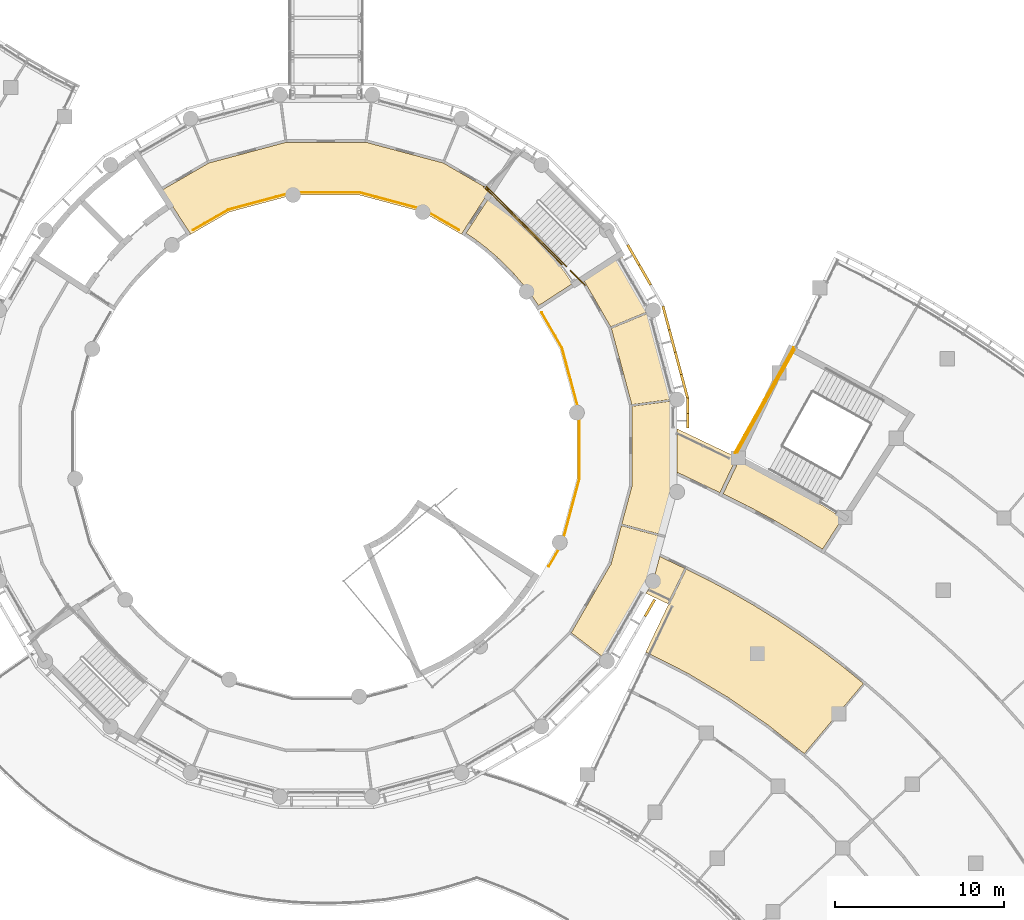
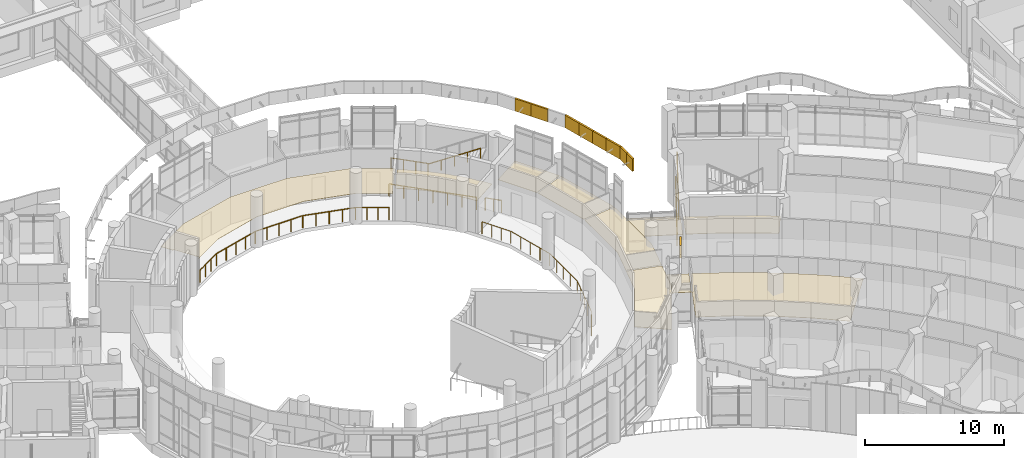
# One storey, part 118 of 136: 19 coverings, 8 railings.
"""IFC4 building model written with IfcOpenShell, lengths in metres."""

from ifc_helpers import new_model, si_unit, direction, frame, origin, origin_2d, place, context, subcontext, project, spatial, polyline, circle, outline, extrude, material, layer, layer_set, type_object, element, save


model = new_model("IFC4")

# Units and contexts
model_context = context("Model", 3, precision=1e-05, world=origin(), true_north=direction((0.0, 1.0)))
body_context = subcontext(model_context, "Body", "Model", "MODEL_VIEW")
ifc_project = project(units=[si_unit("LENGTHUNIT", "METRE"), si_unit("AREAUNIT", "SQUARE_METRE"), si_unit("VOLUMEUNIT", "CUBIC_METRE"), si_unit("PLANEANGLEUNIT", "RADIAN"), si_unit("MASSUNIT", "GRAM", prefix="KILO")], contexts=[model_context])

# Site, building, storey
site_placement = place(None, origin())
site = spatial("IfcSite", under=ifc_project, at=site_placement, CompositionType="ELEMENT")
building_placement = place(site_placement, origin())
building = spatial("IfcBuilding", under=site, at=building_placement, Name="Bougainvillea Quay General Hospital", CompositionType="ELEMENT")
storey_placement = place(building_placement, frame((0.0, 0.0, 5.39990234375)))
storey = spatial("IfcBuildingStorey", under=building, at=storey_placement, Name="L01", CompositionType="ELEMENT", Elevation=5.39990234375)

# Coverings
ifc_material_1 = material(Name="Powder-coated aluminium fascia, white", Category="aluminium")
ifc_layer_1 = layer(ifc_material_1, 0.14990234375)
ifc_layer_set_1 = layer_set([ifc_layer_1], Name="Powder-coated aluminium fascia, white")
covering_type_1 = type_object("IfcCoveringType", Name="Aluminium fascia band white 150x1100", PredefinedType="CLADDING", material=ifc_layer_set_1)
covering_1_placement = place(storey_placement, frame((128.05615234375, 63.919921875, 6.650146484375), z_axis=(0.0, 0.0, 1.0), x_axis=(0.499894466757, 0.866086324858, 0.0)))
element("IfcCovering", 1, at=covering_1_placement, inside=storey, type_object=covering_type_1, Name="Fascia band white e0 42", PredefinedType="CLADDING", context=body_context, shape_type="SweptSolid", body=[
    extrude(outline(polyline([(0.0, 0.0), (1.1467264105144213, 0.0), (1.1467399248169607, -0.14995740383758843), (1.351430253937469e-05, -0.1499574038375884), (0.0, 0.0)])), origin(), (0.0, 0.0, 1.0), 1.10009765625),
])
covering_2_placement = place(storey_placement, frame((130.570068359375, 75.06005859375, 6.650146484375), z_axis=(0.0, 0.0, 1.0), x_axis=(0.0, 1.0, 0.0)))
element("IfcCovering", 2, at=covering_2_placement, inside=storey, type_object=covering_type_1, Name="Fascia band white e1 1", PredefinedType="CLADDING", context=body_context, shape_type="SweptSolid", body=[
    extrude(outline(polyline([(0.0, 0.0), (0.84033203125, 0.0), (0.84033203125, -0.14990234375), (0.0, -0.14990234375), (0.0, 0.0)])), origin(), (0.0, 0.0, 1.0), 1.10009765625),
])
covering_3_placement = place(storey_placement, frame((130.570068359375, 75.900390625, 6.650146484375), z_axis=(0.0, 0.0, 1.0), x_axis=(0.0, 1.0, 0.0)))
element("IfcCovering", 3, at=covering_3_placement, inside=storey, type_object=covering_type_1, Name="Fascia band white e1 2", PredefinedType="CLADDING", context=body_context, shape_type="SweptSolid", body=[
    extrude(outline(polyline([(0.0, 0.0), (0.9130859375, 0.0), (0.932861328125, -0.14990234375), (0.0, -0.14990234375), (0.0, 0.0)])), origin(), (0.0, 0.0, 1.0), 1.10009765625),
])
covering_4_placement = place(storey_placement, frame((130.570068359375, 76.8134765625, 6.650146484375), z_axis=(0.0, 0.0, 1.0), x_axis=(-0.258905250026, 0.965902723626, 0.0)))
element("IfcCovering", 4, at=covering_4_placement, inside=storey, type_object=covering_type_1, Name="Fascia band white e1 3", PredefinedType="CLADDING", context=body_context, shape_type="SweptSolid", body=[
    extrude(outline(polyline([(0.0, 0.0), (1.4427484812010494, -1.1102230246251565e-16), (1.4427601315406933, -0.14988922115835282), (-0.019709400122614035, -0.1499110345602391), (0.0, 0.0)])), origin(), (0.0, 0.0, 1.0), 1.10009765625),
])
covering_5_placement = place(storey_placement, frame((130.196533203125, 78.20703125, 6.650146484375), z_axis=(0.0, 0.0, 1.0), x_axis=(-0.258848876884, 0.965917832393, 0.0)))
element("IfcCovering", 5, at=covering_5_placement, inside=storey, type_object=covering_type_1, Name="Fascia band white e1 4", PredefinedType="CLADDING", context=body_context, shape_type="SweptSolid", body=[
    extrude(outline(polyline([(0.0, 0.0), (1.3704379651734342, -5.551115123125783e-17), (1.3704583634542102, -0.1498892202231306), (2.039828077596978e-05, -0.14988922022313056), (0.0, 0.0)])), origin(), (0.0, 0.0, 1.0), 1.10009765625),
])
covering_6_placement = place(storey_placement, frame((129.841796875, 79.53076171875, 6.650146484375), z_axis=(0.0, 0.0, 1.0), x_axis=(-0.258804342537, 0.96592976571, 0.0)))
element("IfcCovering", 6, at=covering_6_placement, inside=storey, type_object=covering_type_1, Name="Fascia band white e1 5", PredefinedType="CLADDING", context=body_context, shape_type="SweptSolid", body=[
    extrude(outline(polyline([(0.0, 0.0), (1.3706737864135623, -5.551115123125783e-17), (1.3707010954037027, -0.14988921912334807), (2.730899014045246e-05, -0.14988921912334804), (0.0, 0.0)])), origin(), (0.0, 0.0, 1.0), 1.10009765625),
])
covering_7_placement = place(storey_placement, frame((129.487060546875, 80.854736328125, 6.650146484375), z_axis=(0.0, 0.0, 1.0), x_axis=(-0.258905250026, 0.965902723626, 0.0)))
element("IfcCovering", 7, at=covering_7_placement, inside=storey, type_object=covering_type_1, Name="Fascia band white e1 6", PredefinedType="CLADDING", context=body_context, shape_type="SweptSolid", body=[
    extrude(outline(polyline([(0.0, 0.0), (1.4427484812010494, -1.1102230246251565e-16), (1.462481182002951, -0.14986740775646643), (1.1650339643856644e-05, -0.14988922115835274), (0.0, 0.0)])), origin(), (0.0, 0.0, 1.0), 1.10009765625),
])
for number, where, z_axis, x_axis, name in (
    (8, (128.39208984375, 83.498046875, 6.650146484375), (0.0, 0.0, 1.0), (-0.499989712218, 0.866031343357, 0.0), "Fascia band white e1 8"),
    (9, (127.706787109375, 84.68505859375, 6.650146484375), (0.0, 0.0, 1.0), (-0.499989712218, 0.866031343357, 0.0), "Fascia band white e1 9"),
):
    element("IfcCovering", number, at=place(storey_placement, frame(where, z_axis=z_axis, x_axis=x_axis)), inside=storey, type_object=covering_type_1, Name=name, PredefinedType="CLADDING", context=body_context, shape_type="SweptSolid", body=[
        extrude(outline(polyline([(0.0, 0.0), (1.3706336703115394, 0.0), (1.3706036643327093, -0.14995740144450087), (-3.0005978829975022e-05, -0.14995740144450084), (0.0, 0.0)])), origin(), (0.0, 0.0, 1.0), 1.10009765625),
    ])

# Railings
ifc_material_2 = material(Name="Stainless steel guard, brushed grade 316", Category="steel")
railing_type_1 = type_object("IfcRailingType", Name="Stainless steel guard 1100", PredefinedType="GUARDRAIL", material=ifc_material_2)
railing_1_placement = place(storey_placement, frame((101.31103515625, 86.7900390625, 0.0)))
element("IfcRailing", 10, at=railing_1_placement, inside=storey, type_object=railing_type_1, Name="Guard 0-01", PredefinedType="GUARDRAIL", context=body_context, shape_type="SweptSolid", body=[
    extrude(circle(Radius=0.02392578125, at=origin_2d()), frame((0.0, 0.0, 1.076171875), z_axis=(0.865894266705, 0.500227067327, 0.0), x_axis=(-0.500227067327, 0.865894266705, 0.0)), (0.0, 0.0, 1.0), 2.4150390625),
    extrude(circle(Radius=0.02392578125, at=origin_2d()), frame((2.091064453125, 1.2080078125, 1.076171875), z_axis=(0.965900094608, 0.258915057956, 0.0), x_axis=(-0.258915057956, 0.965900094608, 0.0)), (0.0, 0.0, 1.0), 3.95458984375),
    extrude(circle(Radius=0.02392578125, at=origin_2d()), frame((5.910888671875, 2.23193359375, 1.076171875), z_axis=(1.0, 0.0, 0.0), x_axis=(0.0, 1.0, 0.0)), (0.0, 0.0, 1.0), 3.9560546875),
    extrude(circle(Radius=0.02392578125, at=origin_2d()), frame((9.866943359375, 2.23193359375, 1.076171875), z_axis=(0.965904232743, -0.258899619871, 0.0), x_axis=(0.258899619871, 0.965904232743, 0.0)), (0.0, 0.0, 1.0), 3.954833984375),
    extrude(circle(Radius=0.02392578125, at=origin_2d()), frame((13.68701171875, 1.2080078125, 1.076171875), z_axis=(0.865894266705, -0.500227067327, 0.0), x_axis=(0.500227067327, 0.865894266705, 0.0)), (0.0, 0.0, 1.0), 2.4150390625),
    extrude(circle(Radius=0.02099609375, at=origin_2d()), origin(), (0.0, 0.0, 1.0), 1.052001953125),
    extrude(circle(Radius=0.02099609375, at=origin_2d()), frame((0.697021484375, 0.402587890625, 0.0)), (0.0, 0.0, 1.0), 1.052001953125),
    extrude(circle(Radius=0.02099609375, at=origin_2d()), frame((1.39404296875, 0.805419921875, 0.0)), (0.0, 0.0, 1.0), 1.052001953125),
    extrude(circle(Radius=0.02099609375, at=origin_2d()), frame((2.091064453125, 1.2080078125, 0.0)), (0.0, 0.0, 1.0), 1.052001953125),
    extrude(circle(Radius=0.02099609375, at=origin_2d()), frame((3.0458984375, 1.4638671875, 0.0)), (0.0, 0.0, 1.0), 1.052001953125),
    extrude(circle(Radius=0.02099609375, at=origin_2d()), frame((4.0009765625, 1.719970703125, 0.0)), (0.0, 0.0, 1.0), 1.052001953125),
    extrude(circle(Radius=0.02099609375, at=origin_2d()), frame((4.9560546875, 1.97607421875, 0.0)), (0.0, 0.0, 1.0), 1.052001953125),
    extrude(circle(Radius=0.02099609375, at=origin_2d()), frame((5.910888671875, 2.23193359375, 0.0)), (0.0, 0.0, 1.0), 1.052001953125),
    extrude(circle(Radius=0.02099609375, at=origin_2d()), frame((6.89990234375, 2.23193359375, 0.0)), (0.0, 0.0, 1.0), 1.052001953125),
    extrude(circle(Radius=0.02099609375, at=origin_2d()), frame((7.888916015625, 2.23193359375, 0.0)), (0.0, 0.0, 1.0), 1.052001953125),
    extrude(circle(Radius=0.02099609375, at=origin_2d()), frame((8.8779296875, 2.23193359375, 0.0)), (0.0, 0.0, 1.0), 1.052001953125),
    extrude(circle(Radius=0.02099609375, at=origin_2d()), frame((9.866943359375, 2.23193359375, 0.0)), (0.0, 0.0, 1.0), 1.052001953125),
    extrude(circle(Radius=0.02099609375, at=origin_2d()), frame((10.822021484375, 1.97607421875, 0.0)), (0.0, 0.0, 1.0), 1.052001953125),
    extrude(circle(Radius=0.02099609375, at=origin_2d()), frame((11.77685546875, 1.719970703125, 0.0)), (0.0, 0.0, 1.0), 1.052001953125),
    extrude(circle(Radius=0.02099609375, at=origin_2d()), frame((12.73193359375, 1.4638671875, 0.0)), (0.0, 0.0, 1.0), 1.052001953125),
    extrude(circle(Radius=0.02099609375, at=origin_2d()), frame((13.68701171875, 1.2080078125, 0.0)), (0.0, 0.0, 1.0), 1.052001953125),
    extrude(circle(Radius=0.02099609375, at=origin_2d()), frame((14.384033203125, 0.805419921875, 0.0)), (0.0, 0.0, 1.0), 1.052001953125),
    extrude(circle(Radius=0.02099609375, at=origin_2d()), frame((15.0810546875, 0.402587890625, 0.0)), (0.0, 0.0, 1.0), 1.052001953125),
    extrude(circle(Radius=0.02099609375, at=origin_2d()), frame((15.778076171875, 0.0, 0.0)), (0.0, 0.0, 1.0), 1.052001953125),
])
railing_2_placement = place(storey_placement, frame((121.989990234375, 81.888916015625, 0.0)))
element("IfcRailing", 11, at=railing_2_placement, inside=storey, type_object=railing_type_1, Name="Guard 0-03", PredefinedType="GUARDRAIL", context=body_context, shape_type="SweptSolid", body=[
    extrude(circle(Radius=0.02392578125, at=origin_2d()), frame((0.0, 0.0, 1.076171875), z_axis=(0.500270859977, -0.865868966217, 0.0), x_axis=(0.865868966217, 0.500270859977, 0.0)), (0.0, 0.0, 1.0), 2.414794921875),
    extrude(circle(Radius=0.02392578125, at=origin_2d()), frame((1.2080078125, -2.0908203125, 1.076171875), z_axis=(0.258899619871, -0.965904232743, 0.0), x_axis=(0.965904232743, 0.258899619871, 0.0)), (0.0, 0.0, 1.0), 3.954833984375),
    extrude(circle(Radius=0.02392578125, at=origin_2d()), frame((2.23193359375, -5.910888671875, 1.076171875), z_axis=(0.0, -1.0, 0.0), x_axis=(1.0, 0.0, 0.0)), (0.0, 0.0, 1.0), 3.9560546875),
    extrude(circle(Radius=0.02392578125, at=origin_2d()), frame((2.23193359375, -9.866943359375, 1.076171875), z_axis=(-0.258899619871, -0.965904232743, 0.0), x_axis=(0.965904232743, -0.258899619871, 0.0)), (0.0, 0.0, 1.0), 3.954833984375),
    extrude(circle(Radius=0.02392578125, at=origin_2d()), frame((1.2080078125, -13.68701171875, 1.076171875), z_axis=(-0.500316584844, -0.865842546269, 0.0), x_axis=(0.865842546269, -0.500316584844, 0.0)), (0.0, 0.0, 1.0), 1.56494140625),
    extrude(circle(Radius=0.02099609375, at=origin_2d()), origin(), (0.0, 0.0, 1.0), 1.052001953125),
    extrude(circle(Radius=0.02099609375, at=origin_2d()), frame((0.402587890625, -0.697021484375, 0.0)), (0.0, 0.0, 1.0), 1.052001953125),
    extrude(circle(Radius=0.02099609375, at=origin_2d()), frame((0.805419921875, -1.393798828125, 0.0)), (0.0, 0.0, 1.0), 1.052001953125),
    extrude(circle(Radius=0.02099609375, at=origin_2d()), frame((1.2080078125, -2.0908203125, 0.0)), (0.0, 0.0, 1.0), 1.052001953125),
    extrude(circle(Radius=0.02099609375, at=origin_2d()), frame((1.4638671875, -3.0458984375, 0.0)), (0.0, 0.0, 1.0), 1.052001953125),
    extrude(circle(Radius=0.02099609375, at=origin_2d()), frame((1.719970703125, -4.0009765625, 0.0)), (0.0, 0.0, 1.0), 1.052001953125),
    extrude(circle(Radius=0.02099609375, at=origin_2d()), frame((1.97607421875, -4.955810546875, 0.0)), (0.0, 0.0, 1.0), 1.052001953125),
    extrude(circle(Radius=0.02099609375, at=origin_2d()), frame((2.23193359375, -5.910888671875, 0.0)), (0.0, 0.0, 1.0), 1.052001953125),
    extrude(circle(Radius=0.02099609375, at=origin_2d()), frame((2.23193359375, -6.89990234375, 0.0)), (0.0, 0.0, 1.0), 1.052001953125),
    extrude(circle(Radius=0.02099609375, at=origin_2d()), frame((2.23193359375, -7.888916015625, 0.0)), (0.0, 0.0, 1.0), 1.052001953125),
    extrude(circle(Radius=0.02099609375, at=origin_2d()), frame((2.23193359375, -8.8779296875, 0.0)), (0.0, 0.0, 1.0), 1.052001953125),
    extrude(circle(Radius=0.02099609375, at=origin_2d()), frame((2.23193359375, -9.866943359375, 0.0)), (0.0, 0.0, 1.0), 1.052001953125),
    extrude(circle(Radius=0.02099609375, at=origin_2d()), frame((1.97607421875, -10.822021484375, 0.0)), (0.0, 0.0, 1.0), 1.052001953125),
    extrude(circle(Radius=0.02099609375, at=origin_2d()), frame((1.719970703125, -11.77685546875, 0.0)), (0.0, 0.0, 1.0), 1.052001953125),
    extrude(circle(Radius=0.02099609375, at=origin_2d()), frame((1.4638671875, -12.73193359375, 0.0)), (0.0, 0.0, 1.0), 1.052001953125),
    extrude(circle(Radius=0.02099609375, at=origin_2d()), frame((1.2080078125, -13.68701171875, 0.0)), (0.0, 0.0, 1.0), 1.052001953125),
    extrude(circle(Radius=0.02099609375, at=origin_2d()), frame((0.81640625, -14.364501953125, 0.0)), (0.0, 0.0, 1.0), 1.052001953125),
    extrude(circle(Radius=0.02099609375, at=origin_2d()), frame((0.425048828125, -15.0419921875, 0.0)), (0.0, 0.0, 1.0), 1.052001953125),
])
ifc_material_3 = material(Name="Stainless steel 304 balustrade", Category="steel")
railing_type_2 = type_object("IfcRailingType", Name="Stair guard 1100", PredefinedType="GUARDRAIL", material=ifc_material_3)
railing_3_placement = place(storey_placement, frame((136.9755859375, 79.679931640625, 2.25)))
element("IfcRailing", 12, at=railing_3_placement, inside=storey, type_object=railing_type_2, Name="L01 ST-E1 stair guard 3", PredefinedType="GUARDRAIL", context=body_context, shape_type="SweptSolid", body=[
    extrude(circle(Radius=0.02392578125, at=origin_2d()), frame((0.0, 0.0, 1.076171875), z_axis=(-0.487209347001, -0.873285206674, 0.0), x_axis=(0.873285206674, -0.487209347001, 0.0)), (0.0, 0.0, 1.0), 6.957275390625),
    extrude(circle(Radius=0.02099609375, at=origin_2d()), origin(), (0.0, 0.0, 1.0), 1.052001953125),
    extrude(circle(Radius=0.02099609375, at=origin_2d()), frame((-0.56494140625, -1.0126953125, 0.0)), (0.0, 0.0, 1.0), 1.052001953125),
    extrude(circle(Radius=0.02099609375, at=origin_2d()), frame((-1.1298828125, -2.025146484375, 0.0)), (0.0, 0.0, 1.0), 1.052001953125),
    extrude(circle(Radius=0.02099609375, at=origin_2d()), frame((-1.69482421875, -3.037841796875, 0.0)), (0.0, 0.0, 1.0), 1.052001953125),
    extrude(circle(Radius=0.02099609375, at=origin_2d()), frame((-2.259765625, -4.050537109375, 0.0)), (0.0, 0.0, 1.0), 1.052001953125),
    extrude(circle(Radius=0.02099609375, at=origin_2d()), frame((-2.82470703125, -5.06298828125, 0.0)), (0.0, 0.0, 1.0), 1.052001953125),
    extrude(circle(Radius=0.02099609375, at=origin_2d()), frame((-3.3896484375, -6.07568359375, 0.0)), (0.0, 0.0, 1.0), 1.052001953125),
])
railing_4_placement = place(storey_placement, frame((136.93701171875, 79.816162109375, 0.0)))
element("IfcRailing", 13, at=railing_4_placement, inside=storey, type_object=railing_type_2, Name="L01 ST-E1 stair guard 6", PredefinedType="GUARDRAIL", context=body_context, shape_type="SweptSolid", body=[
    extrude(circle(Radius=0.02392578125, at=origin_2d()), frame((0.0, 0.0, 1.076171875), z_axis=(-0.48719739913, -0.873291872332, 0.0), x_axis=(0.873291872332, -0.48719739913, 0.0)), (0.0, 0.0, 1.0), 7.157470703125),
    extrude(circle(Radius=0.02099609375, at=origin_2d()), origin(), (0.0, 0.0, 1.0), 1.052001953125),
    extrude(circle(Radius=0.02099609375, at=origin_2d()), frame((-0.5810546875, -1.041748046875, 0.0)), (0.0, 0.0, 1.0), 1.052001953125),
    extrude(circle(Radius=0.02099609375, at=origin_2d()), frame((-1.162353515625, -2.08349609375, 0.0)), (0.0, 0.0, 1.0), 1.052001953125),
    extrude(circle(Radius=0.02099609375, at=origin_2d()), frame((-1.74365234375, -3.125244140625, 0.0)), (0.0, 0.0, 1.0), 1.052001953125),
    extrude(circle(Radius=0.02099609375, at=origin_2d()), frame((-2.32470703125, -4.1669921875, 0.0)), (0.0, 0.0, 1.0), 1.052001953125),
    extrude(circle(Radius=0.02099609375, at=origin_2d()), frame((-2.90576171875, -5.208740234375, 0.0)), (0.0, 0.0, 1.0), 1.052001953125),
    extrude(circle(Radius=0.02099609375, at=origin_2d()), frame((-3.487060546875, -6.25048828125, 0.0)), (0.0, 0.0, 1.0), 1.052001953125),
])
railing_5_placement = place(storey_placement, frame((120.681640625, 87.396728515625, 2.25)))
element("IfcRailing", 14, at=railing_5_placement, inside=storey, type_object=railing_type_2, Name="L01 ST-H1 stair guard 3", PredefinedType="GUARDRAIL", context=body_context, shape_type="SweptSolid", body=[
    extrude(circle(Radius=0.02392578125, at=origin_2d()), frame((0.0, 0.0, 1.076171875), z_axis=(-0.707106781187, 0.707106781187, 0.0), x_axis=(-0.707106781187, -0.707106781187, 0.0)), (0.0, 0.0, 1.0), 2.77490234375),
    extrude(circle(Radius=0.02099609375, at=origin_2d()), origin(), (0.0, 0.0, 1.0), 1.052001953125),
    extrude(circle(Radius=0.02099609375, at=origin_2d()), frame((-0.654052734375, 0.654052734375, 0.0)), (0.0, 0.0, 1.0), 1.052001953125),
    extrude(circle(Radius=0.02099609375, at=origin_2d()), frame((-1.30810546875, 1.30810546875, 0.0)), (0.0, 0.0, 1.0), 1.052001953125),
    extrude(circle(Radius=0.02099609375, at=origin_2d()), frame((-1.962158203125, 1.962158203125, 0.0)), (0.0, 0.0, 1.0), 1.052001953125),
])
railing_6_placement = place(storey_placement, frame((124.558837890625, 83.51953125, 0.0)))
element("IfcRailing", 15, at=railing_6_placement, inside=storey, type_object=railing_type_2, Name="L01 ST-H1 stair guard 7", PredefinedType="GUARDRAIL", context=body_context, shape_type="SweptSolid", body=[
    extrude(circle(Radius=0.02392578125, at=origin_2d()), frame((0.0, 0.0, 1.076171875), z_axis=(-0.707106781187, 0.707106781187, 0.0), x_axis=(-0.707106781187, -0.707106781187, 0.0)), (0.0, 0.0, 1.0), 1.212890625),
    extrude(circle(Radius=0.02099609375, at=origin_2d()), origin(), (0.0, 0.0, 1.0), 1.052001953125),
    extrude(circle(Radius=0.02099609375, at=origin_2d()), frame((-0.4287109375, 0.4287109375, 0.0)), (0.0, 0.0, 1.0), 1.052001953125),
    extrude(circle(Radius=0.02099609375, at=origin_2d()), frame((-0.857666015625, 0.857666015625, 0.0)), (0.0, 0.0, 1.0), 1.052001953125),
])
railing_7_placement = place(storey_placement, frame((123.180908203125, 84.756103515625, 0.0)))
element("IfcRailing", 16, at=railing_7_placement, inside=storey, type_object=railing_type_2, Name="L01 ST-H1 stair guard 8", PredefinedType="GUARDRAIL", context=body_context, shape_type="SweptSolid", body=[
    extrude(circle(Radius=0.02392578125, at=origin_2d()), frame((0.0, 0.0, 1.076171875), z_axis=(-0.707106781187, 0.707106781187, 0.0), x_axis=(-0.707106781187, -0.707106781187, 0.0)), (0.0, 0.0, 1.0), 6.50927734375),
    extrude(circle(Radius=0.02099609375, at=origin_2d()), origin(), (0.0, 0.0, 1.0), 1.052001953125),
    extrude(circle(Radius=0.02099609375, at=origin_2d()), frame((-0.76708984375, 0.76708984375, 0.0)), (0.0, 0.0, 1.0), 1.052001953125),
    extrude(circle(Radius=0.02099609375, at=origin_2d()), frame((-1.5341796875, 1.5341796875, 0.0)), (0.0, 0.0, 1.0), 1.052001953125),
    extrude(circle(Radius=0.02099609375, at=origin_2d()), frame((-2.30126953125, 2.30126953125, 0.0)), (0.0, 0.0, 1.0), 1.052001953125),
    extrude(circle(Radius=0.02099609375, at=origin_2d()), frame((-3.068603515625, 3.068603515625, 0.0)), (0.0, 0.0, 1.0), 1.052001953125),
    extrude(circle(Radius=0.02099609375, at=origin_2d()), frame((-3.835693359375, 3.835693359375, 0.0)), (0.0, 0.0, 1.0), 1.052001953125),
    extrude(circle(Radius=0.02099609375, at=origin_2d()), frame((-4.602783203125, 4.602783203125, 0.0)), (0.0, 0.0, 1.0), 1.052001953125),
])
ifc_material_4 = material(Name="Stainless steel 304 handrail", Category="steel")
railing_type_3 = type_object("IfcRailingType", Name="Stair handrail 900", PredefinedType="HANDRAIL", material=ifc_material_4)
railing_8_placement = place(storey_placement, frame((120.681640625, 87.396728515625, 2.400146484375)))
element("IfcRailing", 17, at=railing_8_placement, inside=storey, type_object=railing_type_3, Name="L01 ST-H1 stair handrail 2", PredefinedType="HANDRAIL", context=body_context, shape_type="SweptSolid", body=[
    extrude(circle(Radius=0.02392578125, at=origin_2d()), frame((0.0, 0.0, 0.8759765625), z_axis=(0.62331587877, -0.62331587877, 0.4721807181), x_axis=(0.707106781187, 0.707106781187, 0.0)), (0.0, 0.0, 1.0), 4.447021484375),
    extrude(circle(Radius=0.02099609375, at=origin_2d()), origin(), (0.0, 0.0, 1.0), 0.851806640625),
    extrude(circle(Radius=0.02099609375, at=origin_2d()), frame((0.69287109375, -0.69287109375, 0.52490234375)), (0.0, 0.0, 1.0), 0.851806640625),
    extrude(circle(Radius=0.02099609375, at=origin_2d()), frame((1.385986328125, -1.385986328125, 1.0498046875)), (0.0, 0.0, 1.0), 0.851806640625),
    extrude(circle(Radius=0.02099609375, at=origin_2d()), frame((2.0791015625, -2.0791015625, 1.574951171875)), (0.0, 0.0, 1.0), 0.851806640625),
    extrude(circle(Radius=0.02099609375, at=origin_2d()), frame((2.77197265625, -2.77197265625, 2.099853515625)), (0.0, 0.0, 1.0), 0.851806640625),
])

# Coverings
ifc_material_5 = material(Name="Mineral fibre ceiling tile")
ifc_layer_2 = layer(ifc_material_5, 0.030029296875)
ifc_layer_set_2 = layer_set([ifc_layer_2], Name="Mineral fibre ceiling tile")
covering_type_2 = type_object("IfcCoveringType", Name="Suspended ceiling mineral fibre tile", PredefinedType="CEILING", material=ifc_layer_set_2)
covering_8_placement = place(storey_placement, frame((0.0, 0.0, 2.400146484375)))
element("IfcCovering", 18, at=covering_8_placement, inside=storey, type_object=covering_type_2, Name="Ceiling Gallery Corridor", PredefinedType="CEILING", context=body_context, shape_type="SweptSolid", body=[
    extrude(outline(polyline([(117.4033203125, 86.435791015625), (117.314453125, 86.496826171875), (117.231689453125, 86.550537109375), (117.233154296875, 86.552734375), (117.23095703125, 86.55419921875), (117.286865234375, 86.635498046875), (118.649169921875, 88.73388671875), (118.64697265625, 88.7353515625), (118.702880859375, 88.816650390625), (118.756591796875, 88.8994140625), (118.7587890625, 88.89794921875), (118.76025390625, 88.900146484375), (118.778564453125, 88.887451171875), (118.949951171875, 89.151611328125), (116.14599609375, 90.77001953125), (111.569091796875, 91.9970703125), (106.830810546875, 91.9970703125), (102.25390625, 90.77001953125), (99.385009765625, 89.114013671875), (99.941162109375, 88.257080078125), (100.02490234375, 88.3115234375), (101.113037109375, 86.635498046875), (101.1689453125, 86.55419921875), (101.1669921875, 86.552734375), (101.168212890625, 86.550537109375), (101.085693359375, 86.496826171875), (100.996826171875, 86.435791015625), (103.4599609375, 87.85791015625), (107.241943359375, 88.8720703125), (111.157958984375, 88.8720703125), (114.93994140625, 87.85791015625), (117.4033203125, 86.435791015625)])), origin(), (0.0, 0.0, 1.0), 0.030029296875),
])
covering_9_placement = place(storey_placement, frame((0.0, 0.0, 2.7001953125)))
element("IfcCovering", 19, at=covering_9_placement, inside=storey, type_object=covering_type_2, Name="Ceiling Smoke-proof Vestibule ST-E1", PredefinedType="CEILING", context=body_context, shape_type="SweptSolid", body=[
    extrude(outline(polyline([(134.1318359375, 70.461669921875), (134.13330078125, 70.46435546875), (134.219970703125, 70.417724609375), (134.30810546875, 70.3740234375), (134.306640625, 70.371337890625), (135.6650390625, 69.640869140625), (135.66650390625, 69.6435546875), (135.751708984375, 69.59423828125), (135.83837890625, 69.547607421875), (135.8369140625, 69.544921875), (137.171142578125, 68.77294921875), (137.1728515625, 68.775634765625), (137.25634765625, 68.723876953125), (137.341552734375, 68.674560546875), (137.340087890625, 68.671630859375), (138.648193359375, 67.85791015625), (139.83984375, 69.706787109375), (138.3896484375, 70.609130859375), (136.8232421875, 71.515625), (135.22998046875, 72.3720703125), (133.699462890625, 73.13232421875), (132.752685546875, 71.146728515625), (134.1318359375, 70.461669921875)])), origin(), (0.0, 0.0, 1.0), 0.02978515625),
])
covering_10_placement = place(storey_placement, frame((0.0, 0.0, 2.7001953125)))
element("IfcCovering", 20, at=covering_10_placement, inside=storey, type_object=covering_type_2, Name="Ceiling Smoke-proof Vestibule ST-H1", PredefinedType="CEILING", context=body_context, shape_type="SweptSolid", body=[
    extrude(outline(polyline([(120.871337890625, 83.5771484375), (120.87548828125, 83.580322265625), (120.934814453125, 83.5029296875), (120.998046875, 83.428955078125), (120.994140625, 83.425537109375), (121.3564453125, 82.953125), (121.36083984375, 82.9560546875), (121.416015625, 82.875732421875), (121.47509765625, 82.798583984375), (121.47119140625, 82.79541015625), (121.80712890625, 82.306884765625), (123.8203125, 83.614013671875), (123.358154296875, 84.2861328125), (122.80029296875, 85.012939453125), (122.20458984375, 85.7099609375), (121.57421875, 86.374267578125), (120.91015625, 87.004638671875), (120.213134765625, 87.600341796875), (119.486083984375, 88.158203125), (118.81396484375, 88.620361328125), (117.5068359375, 86.607177734375), (117.995361328125, 86.271240234375), (117.99853515625, 86.275146484375), (118.075927734375, 86.2158203125), (118.156005859375, 86.16064453125), (118.153076171875, 86.156494140625), (118.62548828125, 85.794189453125), (118.62890625, 85.798095703125), (118.702880859375, 85.734619140625), (118.7802734375, 85.675537109375), (118.777099609375, 85.67138671875), (119.229736328125, 85.28466796875), (119.233154296875, 85.288330078125), (119.303955078125, 85.221435546875), (119.3779296875, 85.157958984375), (119.374755859375, 85.154296875), (119.806884765625, 84.74462890625), (119.810791015625, 84.748291015625), (119.877685546875, 84.677734375), (119.948486328125, 84.61083984375), (119.94482421875, 84.60693359375), (120.354248046875, 84.1748046875), (120.358154296875, 84.177978515625), (120.42138671875, 84.10400390625), (120.48828125, 84.033203125), (120.484619140625, 84.02978515625), (120.871337890625, 83.5771484375)])), origin(), (0.0, 0.0, 1.0), 0.02978515625),
])
covering_11_placement = place(storey_placement, frame((0.0, 0.0, 2.7001953125)))
element("IfcCovering", 21, at=covering_11_placement, inside=storey, type_object=covering_type_2, Name="Ceiling Visitors' Pantry 01H0126", PredefinedType="CEILING", context=body_context, shape_type="SweptSolid", body=[
    extrude(outline(polyline([(129.31005859375, 68.611083984375), (129.297119140625, 68.562744140625), (126.715576171875, 69.255126953125), (126.12744140625, 67.061279296875), (126.142333984375, 67.052490234375), (126.10986328125, 66.99609375), (126.093017578125, 66.93310546875), (126.076171875, 66.937744140625), (123.754638671875, 62.916259765625), (123.76708984375, 62.904052734375), (123.756591796875, 62.8935546875), (125.88525390625, 61.259765625), (128.60107421875, 65.964111328125), (128.993408203125, 67.42919921875), (128.980712890625, 67.435302734375), (129.013427734375, 67.504150390625), (129.31005859375, 68.611083984375)])), origin(), (0.0, 0.0, 1.0), 0.02978515625),
])
covering_12_placement = place(storey_placement, frame((0.0, 0.0, 2.7001953125)))
element("IfcCovering", 22, at=covering_12_placement, inside=storey, type_object=covering_type_2, Name="Ceiling Quiet Room 01H0311", PredefinedType="CEILING", context=body_context, shape_type="SweptSolid", body=[
    extrude(outline(polyline([(130.02001953125, 76.690673828125), (127.360107421875, 76.341064453125), (127.36376953125, 76.326904296875), (127.346923828125, 76.322509765625), (127.346923828125, 71.677490234375), (127.36376953125, 71.673095703125), (127.346923828125, 71.610107421875), (127.346923828125, 71.544921875), (127.32958984375, 71.544921875), (126.741455078125, 69.351806640625), (129.322998046875, 68.6591796875), (130.02001953125, 71.259033203125), (130.02001953125, 72.2578125), (129.98779296875, 72.273193359375), (130.02001953125, 72.341064453125), (130.02001953125, 76.690673828125)])), origin(), (0.0, 0.0, 1.0), 0.02978515625),
])
covering_13_placement = place(storey_placement, frame((0.0, 0.0, 2.7001953125)))
element("IfcCovering", 23, at=covering_13_placement, inside=storey, type_object=covering_type_2, Name="Ceiling Reflection Room 01H0312", PredefinedType="CEILING", context=body_context, shape_type="SweptSolid", body=[
    extrude(outline(polyline([(128.614013671875, 81.9873046875), (126.135009765625, 80.960205078125), (126.142333984375, 80.947509765625), (126.12744140625, 80.938720703125), (127.32958984375, 76.455078125), (127.346923828125, 76.455078125), (127.346923828125, 76.440185546875), (130.0068359375, 76.789794921875), (128.614013671875, 81.9873046875)])), origin(), (0.0, 0.0, 1.0), 0.02978515625),
])
covering_14_placement = place(storey_placement, frame((0.0, 0.0, 2.7001953125)))
element("IfcCovering", 24, at=covering_14_placement, inside=storey, type_object=covering_type_2, Name="Ceiling Quiet Room 01H0313", PredefinedType="CEILING", context=body_context, shape_type="SweptSolid", body=[
    extrude(outline(polyline([(126.7099609375, 85.3115234375), (124.466796875, 83.855224609375), (124.480712890625, 83.833984375), (124.4775390625, 83.831787109375), (126.076171875, 81.062255859375), (126.093017578125, 81.06689453125), (126.096923828125, 81.052734375), (128.57568359375, 82.07958984375), (126.7099609375, 85.3115234375)])), origin(), (0.0, 0.0, 1.0), 0.02978515625),
])
covering_15_placement = place(storey_placement, frame((0.0, 0.0, 2.7001953125)))
element("IfcCovering", 25, at=covering_15_placement, inside=storey, type_object=covering_type_2, Name="Ceiling Pre-admission Assessment Waiting Hall 01E101", PredefinedType="CEILING", context=body_context, shape_type="SweptSolid", body=[
    extrude(outline(polyline([(128.132080078125, 61.69189453125), (128.165771484375, 61.759033203125), (130.607666015625, 60.5234375), (130.6103515625, 60.52783203125), (130.67236328125, 60.49072265625), (130.73681640625, 60.4580078125), (130.734375, 60.453369140625), (133.021240234375, 59.08056640625), (133.02392578125, 59.084228515625), (133.083740234375, 59.04296875), (133.14599609375, 59.005615234375), (133.1435546875, 59.001708984375), (135.336669921875, 57.48583984375), (135.339599609375, 57.4892578125), (135.396484375, 57.4443359375), (135.456298828125, 57.403076171875), (135.45361328125, 57.399169921875), (137.54736328125, 55.747314453125), (137.55029296875, 55.7509765625), (137.567138671875, 55.73583984375), (141.073974609375, 59.897216796875), (139.76171875, 60.968017578125), (138.521484375, 61.90966796875), (137.25341796875, 62.811279296875), (135.95751953125, 63.6728515625), (134.634521484375, 64.49365234375), (133.28662109375, 65.2724609375), (131.91455078125, 66.00830078125), (130.5654296875, 66.677978515625), (129.565185546875, 64.58056640625), (129.52001953125, 64.60205078125), (128.132080078125, 61.69189453125)])), origin(), (0.0, 0.0, 1.0), 0.02978515625),
])
covering_16_placement = place(storey_placement, frame((0.0, 0.0, 2.7001953125)))
element("IfcCovering", 26, at=covering_16_placement, inside=storey, type_object=covering_type_2, Name="Ceiling East Arm Portal Lounge Waiting Gallery", PredefinedType="CEILING", context=body_context, shape_type="SweptSolid", body=[
    extrude(outline(polyline([(129.474853515625, 64.62353515625), (130.4755859375, 66.721923828125), (128.9931640625, 67.42919921875), (128.60107421875, 65.964111328125), (128.18310546875, 65.239990234375), (129.474853515625, 64.62353515625)])), origin(), (0.0, 0.0, 1.0), 0.02978515625),
])
covering_17_placement = place(storey_placement, frame((0.0, 0.0, 2.7001953125)))
element("IfcCovering", 27, at=covering_17_placement, inside=storey, type_object=covering_type_2, Name="Ceiling East Arm Portal Lounge Waiting Gallery", PredefinedType="CEILING", context=body_context, shape_type="SweptSolid", body=[
    extrude(outline(polyline([(130.02001953125, 72.341064453125), (130.05224609375, 72.40869140625), (132.56201171875, 71.211669921875), (133.520263671875, 73.22119140625), (133.51904296875, 73.221923828125), (133.562744140625, 73.31005859375), (130.02001953125, 75.0), (130.02001953125, 72.341064453125)])), origin(), (0.0, 0.0, 1.0), 0.02978515625),
])

save(model, "model.ifc")
